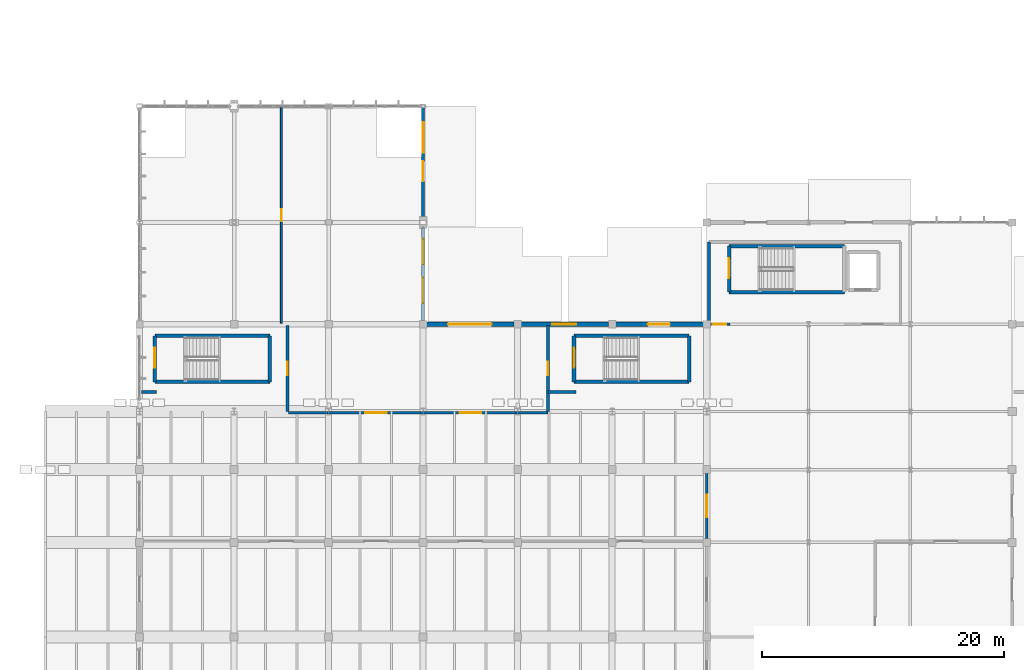
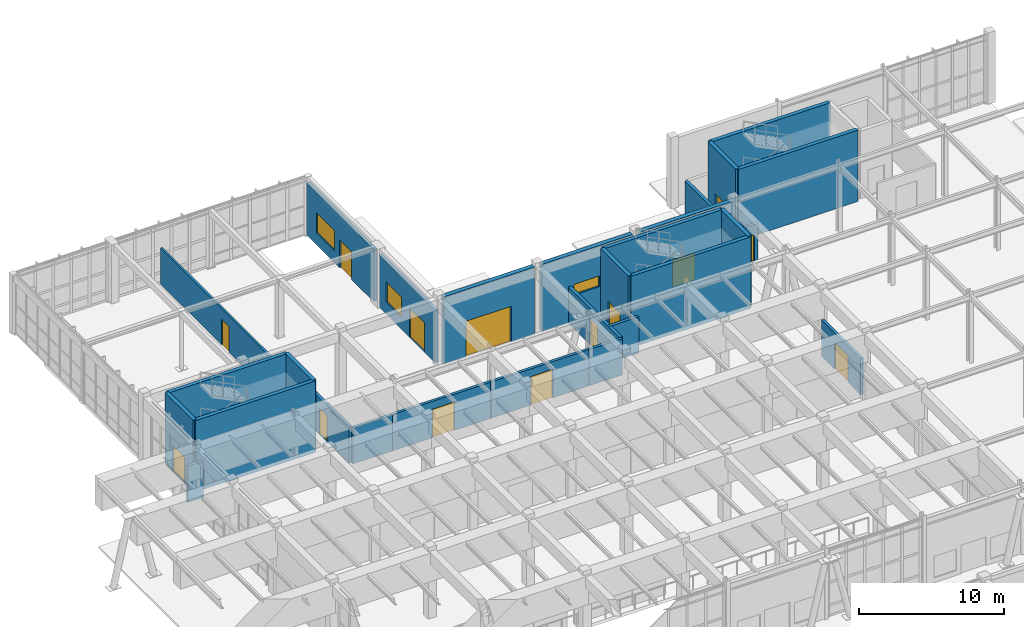
# One storey, part 80 of 110: 28 walls, 14 doors, 3 windows, 17 openings.
"""IFC4 building model written with IfcOpenShell, lengths in metres."""

from ifc_helpers import new_model, si_unit, direction, frame, frame_2d, origin, place, context, subcontext, project, spatial, rectangle, extrude, material, layer, layer_set, type_object, element, fill, save


model = new_model("IFC4")

# Units and contexts
model_context = context("Model", 3, precision=1e-05, world=origin(), true_north=direction((0.0, 1.0)))
body_context = subcontext(model_context, "Body", "Model", "MODEL_VIEW")
ifc_project = project(units=[si_unit("LENGTHUNIT", "METRE"), si_unit("AREAUNIT", "SQUARE_METRE"), si_unit("VOLUMEUNIT", "CUBIC_METRE"), si_unit("PLANEANGLEUNIT", "RADIAN"), si_unit("MASSUNIT", "GRAM", prefix="KILO")], contexts=[model_context])

# Site, building, storey
site_placement = place(None, origin())
site = spatial("IfcSite", under=ifc_project, at=site_placement, CompositionType="ELEMENT")
building_placement = place(site_placement, origin())
building = spatial("IfcBuilding", under=site, at=building_placement, Name="Tizgana Railside Sports Hall", CompositionType="ELEMENT")
storey_placement = place(building_placement, origin())
storey = spatial("IfcBuildingStorey", under=building, at=storey_placement, Name="L00", CompositionType="ELEMENT", Elevation=0.0)

# Wall, opening, door
ifc_material_1 = material(Name="Acoustic gypsum stud")
ifc_layer_1 = layer(ifc_material_1, 0.159912109375, Name="Acoustic gypsum stud")
ifc_layer_set_1 = layer_set([ifc_layer_1], Name="Acoustic gypsum stud")
wall_type_1 = type_object("IfcWallType", Name="Clinic Acoustic Partition 160", PredefinedType="STANDARD", material=ifc_layer_set_1)
wall_1_placement = place(storey_placement, frame((19.5, 80.5, 0.0), z_axis=(0.0, 0.0, 1.0), x_axis=(0.0, 1.0, 0.0)))
wall_1 = element("IfcWall", 1, at=wall_1_placement, inside=storey, type_object=wall_type_1, Name="L00 Partition PWAL-0340", PredefinedType="STANDARD", context=body_context, shape_type="SweptSolid", body=[
    extrude(rectangle(XDim=17.800048828125, YDim=0.159912109375, at=frame_2d((8.89990234375, 0.0))), origin(), (0.0, 0.0, 1.0), 3.050048828125),
])
opening_1_placement = place(wall_1_placement, frame((8.409912109375, 0.0, 0.0)))
opening_1 = element("IfcOpeningElement", 2, at=opening_1_placement, cuts=wall_1, Name="Opening D-0305", PredefinedType="OPENING", context=body_context, shape_type="SweptSolid", body=[
    extrude(rectangle(XDim=0.97998046875, YDim=2.14990234375, at=frame_2d((0.489990234375, 1.074951171875))), frame((0.0, 0.08984375, 0.0), z_axis=(0.0, -1.0, 0.0), x_axis=(1.0, 0.0, 0.0)), (0.0, 0.0, 1.0), 0.179931640625),
])
ifc_material_2 = material(Name="Solid beech timber", Category="wood")
door_type_1 = type_object("IfcDoorType", Name="Athlete Changing Room Door 980x2150", OperationType="NOTDEFINED", PredefinedType="DOOR", material=ifc_material_2)
door_1_placement = place(opening_1_placement, origin())
door_1 = element("IfcDoor", 3, at=door_1_placement, inside=storey, type_object=door_type_1, Name="L00 Door D-0305", OperationType="SINGLE_SWING_RIGHT", OverallHeight=2.14990234375, OverallWidth=0.97998046875, PredefinedType="DOOR", context=body_context, shape_type="SweptSolid", body=[
    extrude(rectangle(XDim=0.97998046875, YDim=2.14990234375, at=frame_2d((0.489990234375, 1.074951171875))), frame((0.0, 0.02490234375, 0.0), z_axis=(0.0, -1.0, 0.0), x_axis=(1.0, 0.0, 0.0)), (0.0, 0.0, 1.0), 0.050048828125),
])
fill(opening_1, door_1)

# Walls
ifc_material_3 = material(Name="Concrete C40/50", Category="concrete")
ifc_layer_2 = layer(ifc_material_3, 0.300048828125, Name="Concrete C40/50")
ifc_layer_set_2 = layer_set([ifc_layer_2], Name="Concrete C40/50")
wall_type_2 = type_object("IfcWallType", Name="Core Shear Wall 300", PredefinedType="SHEAR", material=ifc_layer_set_2)
for number, where, z_axis, x_axis, name in (
    (4, (65.949951171875, 83.050048828125, 0.0), (0.0, 0.0, 1.0), (-1.0, 0.0, 0.0), "L00 C4 Shaft Wall S"),
    (5, (56.449951171875, 86.85009765625, 0.0), (0.0, 0.0, 1.0), (1.0, 0.0, 0.0), "L00 C4 Shaft Wall N"),
):
    element("IfcWall", number, at=place(storey_placement, frame(where, z_axis=z_axis, x_axis=x_axis)), inside=storey, type_object=wall_type_2, Name=name, PredefinedType="SHEAR", context=body_context, shape_type="SweptSolid", body=[
        extrude(rectangle(XDim=9.5, YDim=0.300048828125, at=frame_2d((4.75, 0.0))), origin(), (0.0, 0.0, 1.0), 6.0),
    ])

# Wall, opening, door
wall_2_placement = place(storey_placement, frame((56.449951171875, 83.050048828125, 0.0), z_axis=(0.0, 0.0, 1.0), x_axis=(0.0, 1.0, 0.0)))
wall_2 = element("IfcWall", 6, at=wall_2_placement, inside=storey, type_object=wall_type_2, Name="L00 C4 Shaft Wall W", PredefinedType="SHEAR", context=body_context, shape_type="SweptSolid", body=[
    extrude(rectangle(XDim=3.800048828125, YDim=0.300048828125, at=frame_2d((1.89990234375, 0.0))), origin(), (0.0, 0.0, 1.0), 6.0),
])
opening_2_placement = place(wall_2_placement, frame((1.14990234375, 0.0, 0.0)))
opening_2 = element("IfcOpeningElement", 7, at=opening_2_placement, cuts=wall_2, Name="Opening D-0072", PredefinedType="OPENING", context=body_context, shape_type="SweptSolid", body=[
    extrude(rectangle(XDim=1.64990234375, YDim=2.199951171875, at=frame_2d((0.824951171875, 1.10009765625))), frame((0.0, 0.159912109375, 0.0), z_axis=(0.0, -1.0, 0.0), x_axis=(1.0, 0.0, 0.0)), (0.0, 0.0, 1.0), 0.320068359375),
])
ifc_material_4 = material(Name="Timber fire leaf", Category="wood")
door_type_2 = type_object("IfcDoorType", Name="Stair Core Double Fire Door 1650x2200", OperationType="NOTDEFINED", PredefinedType="DOOR", material=ifc_material_4)
door_2_placement = place(opening_2_placement, origin())
door_2 = element("IfcDoor", 8, at=door_2_placement, inside=storey, type_object=door_type_2, Name="L00 Door D-0072", OperationType="DOUBLE_DOOR_SINGLE_SWING", OverallHeight=2.199951171875, OverallWidth=1.64990234375, PredefinedType="DOOR", context=body_context, shape_type="SweptSolid", body=[
    extrude(rectangle(XDim=1.64990234375, YDim=2.199951171875, at=frame_2d((0.824951171875, 1.10009765625))), frame((0.0, 0.02490234375, 0.0), z_axis=(0.0, -1.0, 0.0), x_axis=(1.0, 0.0, 0.0)), (0.0, 0.0, 1.0), 0.050048828125),
])
fill(opening_2, door_2)

# Walls
for number, where, z_axis, x_axis, name in (
    (9, (53.14990234375, 75.64990234375, 0.0), (0.0, 0.0, 1.0), (-1.0, 0.0, 0.0), "L00 C6 Shaft Wall S"),
    (10, (43.64990234375, 79.449951171875, 0.0), (0.0, 0.0, 1.0), (1.0, 0.0, 0.0), "L00 C6 Shaft Wall N"),
):
    element("IfcWall", number, at=place(storey_placement, frame(where, z_axis=z_axis, x_axis=x_axis)), inside=storey, type_object=wall_type_2, Name=name, PredefinedType="SHEAR", context=body_context, shape_type="SweptSolid", body=[
        extrude(rectangle(XDim=9.5, YDim=0.300048828125, at=frame_2d((4.75, 0.0))), origin(), (0.0, 0.0, 1.0), 6.0),
    ])

# Wall, opening, door
wall_3_placement = place(storey_placement, frame((43.64990234375, 75.64990234375, 0.0), z_axis=(0.0, 0.0, 1.0), x_axis=(0.0, 1.0, 0.0)))
wall_3 = element("IfcWall", 11, at=wall_3_placement, inside=storey, type_object=wall_type_2, Name="L00 C6 Shaft Wall W", PredefinedType="SHEAR", context=body_context, shape_type="SweptSolid", body=[
    extrude(rectangle(XDim=3.800048828125, YDim=0.300048828125, at=frame_2d((1.89990234375, 0.0))), origin(), (0.0, 0.0, 1.0), 6.0),
])
opening_3_placement = place(wall_3_placement, frame((1.14990234375, 0.0, 0.0)))
opening_3 = element("IfcOpeningElement", 12, at=opening_3_placement, cuts=wall_3, Name="Opening D-0088", PredefinedType="OPENING", context=body_context, shape_type="SweptSolid", body=[
    extrude(rectangle(XDim=1.64990234375, YDim=2.199951171875, at=frame_2d((0.824951171875, 1.10009765625))), frame((0.0, 0.159912109375, 0.0), z_axis=(0.0, -1.0, 0.0), x_axis=(1.0, 0.0, 0.0)), (0.0, 0.0, 1.0), 0.320068359375),
])
door_3_placement = place(opening_3_placement, origin())
door_3 = element("IfcDoor", 13, at=door_3_placement, inside=storey, type_object=door_type_2, Name="L00 Door D-0088", OperationType="DOUBLE_DOOR_SINGLE_SWING", OverallHeight=2.199951171875, OverallWidth=1.64990234375, PredefinedType="DOOR", context=body_context, shape_type="SweptSolid", body=[
    extrude(rectangle(XDim=1.64990234375, YDim=2.199951171875, at=frame_2d((0.824951171875, 1.10009765625))), frame((0.0, 0.02490234375, 0.0), z_axis=(0.0, -1.0, 0.0), x_axis=(1.0, 0.0, 0.0)), (0.0, 0.0, 1.0), 0.050048828125),
])
fill(opening_3, door_3)

# Walls
wall_4_placement = place(storey_placement, frame((53.14990234375, 75.64990234375, 0.0), z_axis=(0.0, 0.0, 1.0), x_axis=(0.0, 1.0, 0.0)))
element("IfcWall", 14, at=wall_4_placement, inside=storey, type_object=wall_type_2, Name="L00 C6 Shaft Wall E", PredefinedType="SHEAR", context=body_context, shape_type="SweptSolid", body=[
    extrude(rectangle(XDim=3.800048828125, YDim=0.300048828125, at=frame_2d((1.89990234375, 0.0))), origin(), (0.0, 0.0, 1.0), 6.0),
])
for number, where, z_axis, x_axis, name in (
    (15, (18.550048828125, 75.64990234375, 0.0), (0.0, 0.0, 1.0), (-1.0, 0.0, 0.0), "L00 C7 Shaft Wall S"),
    (16, (9.050048828125, 79.449951171875, 0.0), (0.0, 0.0, 1.0), (1.0, 0.0, 0.0), "L00 C7 Shaft Wall N"),
):
    element("IfcWall", number, at=place(storey_placement, frame(where, z_axis=z_axis, x_axis=x_axis)), inside=storey, type_object=wall_type_2, Name=name, PredefinedType="SHEAR", context=body_context, shape_type="SweptSolid", body=[
        extrude(rectangle(XDim=9.5, YDim=0.300048828125, at=frame_2d((4.75, 0.0))), origin(), (0.0, 0.0, 1.0), 6.0),
    ])

# Wall, opening, door
wall_5_placement = place(storey_placement, frame((9.050048828125, 75.64990234375, 0.0), z_axis=(0.0, 0.0, 1.0), x_axis=(0.0, 1.0, 0.0)))
wall_5 = element("IfcWall", 17, at=wall_5_placement, inside=storey, type_object=wall_type_2, Name="L00 C7 Shaft Wall W", PredefinedType="SHEAR", context=body_context, shape_type="SweptSolid", body=[
    extrude(rectangle(XDim=3.800048828125, YDim=0.300048828125, at=frame_2d((1.89990234375, 0.0))), origin(), (0.0, 0.0, 1.0), 6.0),
])
opening_4_placement = place(wall_5_placement, frame((1.14990234375, 0.0, 0.0)))
opening_4 = element("IfcOpeningElement", 18, at=opening_4_placement, cuts=wall_5, Name="Opening D-0091", PredefinedType="OPENING", context=body_context, shape_type="SweptSolid", body=[
    extrude(rectangle(XDim=1.64990234375, YDim=2.199951171875, at=frame_2d((0.824951171875, 1.10009765625))), frame((0.0, 0.159912109375, 0.0), z_axis=(0.0, -1.0, 0.0), x_axis=(1.0, 0.0, 0.0)), (0.0, 0.0, 1.0), 0.320068359375),
])
door_4_placement = place(opening_4_placement, origin())
door_4 = element("IfcDoor", 19, at=door_4_placement, inside=storey, type_object=door_type_2, Name="L00 Door D-0091", OperationType="DOUBLE_DOOR_SINGLE_SWING", OverallHeight=2.199951171875, OverallWidth=1.64990234375, PredefinedType="DOOR", context=body_context, shape_type="SweptSolid", body=[
    extrude(rectangle(XDim=1.64990234375, YDim=2.199951171875, at=frame_2d((0.824951171875, 1.10009765625))), frame((0.0, 0.02490234375, 0.0), z_axis=(0.0, -1.0, 0.0), x_axis=(1.0, 0.0, 0.0)), (0.0, 0.0, 1.0), 0.050048828125),
])
fill(opening_4, door_4)

# Walls
wall_6_placement = place(storey_placement, frame((18.550048828125, 75.64990234375, 0.0), z_axis=(0.0, 0.0, 1.0), x_axis=(0.0, 1.0, 0.0)))
element("IfcWall", 20, at=wall_6_placement, inside=storey, type_object=wall_type_2, Name="L00 C7 Shaft Wall E", PredefinedType="SHEAR", context=body_context, shape_type="SweptSolid", body=[
    extrude(rectangle(XDim=3.800048828125, YDim=0.300048828125, at=frame_2d((1.89990234375, 0.0))), origin(), (0.0, 0.0, 1.0), 6.0),
])
ifc_material_5 = material(Name="Masonry blockwork", Category="masonry")
ifc_layer_3 = layer(ifc_material_5, 0.219970703125, Name="Masonry blockwork")
ifc_layer_set_3 = layer_set([ifc_layer_3], Name="Masonry blockwork")
wall_type_3 = type_object("IfcWallType", Name="Equipment Store Fire Wall 220", PredefinedType="STANDARD", material=ifc_layer_set_3)
wall_7_placement = place(storey_placement, frame((20.10009765625, 73.10009765625, 0.0), z_axis=(0.0, 0.0, 1.0), x_axis=(1.0, 0.0, 0.0)))
element("IfcWall", 21, at=wall_7_placement, inside=storey, type_object=wall_type_3, Name="L00 Partition PWAL-0259", PredefinedType="STANDARD", context=body_context, shape_type="SweptSolid", body=[
    extrude(rectangle(XDim=3.139892578125, YDim=0.219970703125, at=frame_2d((1.56982421875, 0.0))), origin(), (0.0, 0.0, 1.0), 3.050048828125),
])

# Wall, opening, door
wall_8_placement = place(storey_placement, frame((23.2451171875, 73.10009765625, 0.0), z_axis=(0.0, 0.0, 1.0), x_axis=(1.0, 0.0, 0.0)))
wall_8 = element("IfcWall", 22, at=wall_8_placement, inside=storey, type_object=wall_type_3, Name="L00 Partition PWAL-0260", PredefinedType="STANDARD", context=body_context, shape_type="SweptSolid", body=[
    extrude(rectangle(XDim=7.794921875, YDim=0.219970703125, at=frame_2d((3.8974609375, 0.0))), origin(), (0.0, 0.0, 1.0), 3.050048828125),
])
opening_5_placement = place(wall_8_placement, frame((3.179931640625, 0.0, 0.0)))
opening_5 = element("IfcOpeningElement", 23, at=opening_5_placement, cuts=wall_8, Name="Opening D-0249", PredefinedType="OPENING", context=body_context, shape_type="SweptSolid", body=[
    extrude(rectangle(XDim=1.75, YDim=2.39990234375, at=frame_2d((0.875, 1.199951171875))), frame((0.0, 0.119873046875, 0.0), z_axis=(0.0, -1.0, 0.0), x_axis=(1.0, 0.0, 0.0)), (0.0, 0.0, 1.0), 0.239990234375),
])
ifc_material_6 = material(Name="Galvanised steel sheet", Category="steel")
door_type_3 = type_object("IfcDoorType", Name="Equipment Store Double Fire Door 1750x2400", OperationType="NOTDEFINED", PredefinedType="DOOR", material=ifc_material_6)
door_5_placement = place(opening_5_placement, origin())
door_5 = element("IfcDoor", 24, at=door_5_placement, inside=storey, type_object=door_type_3, Name="L00 Door D-0249", OperationType="DOUBLE_DOOR_SINGLE_SWING", OverallHeight=2.39990234375, OverallWidth=1.75, PredefinedType="DOOR", context=body_context, shape_type="SweptSolid", body=[
    extrude(rectangle(XDim=1.75, YDim=2.39990234375, at=frame_2d((0.875, 1.199951171875))), frame((0.0, 0.02490234375, 0.0), z_axis=(0.0, -1.0, 0.0), x_axis=(1.0, 0.0, 0.0)), (0.0, 0.0, 1.0), 0.050048828125),
])
fill(opening_5, door_5)

wall_9_placement = place(storey_placement, frame((31.044921875, 73.10009765625, 0.0), z_axis=(0.0, 0.0, 1.0), x_axis=(1.0, 0.0, 0.0)))
wall_9 = element("IfcWall", 25, at=wall_9_placement, inside=storey, type_object=wall_type_3, Name="L00 Partition PWAL-0261", PredefinedType="STANDARD", context=body_context, shape_type="SweptSolid", body=[
    extrude(rectangle(XDim=7.795166015625, YDim=0.219970703125, at=frame_2d((3.8974609375, 0.0))), origin(), (0.0, 0.0, 1.0), 3.050048828125),
])
opening_6_placement = place(wall_9_placement, frame((3.179931640625, 0.0, 0.0)))
opening_6 = element("IfcOpeningElement", 26, at=opening_6_placement, cuts=wall_9, Name="Opening D-0250", PredefinedType="OPENING", context=body_context, shape_type="SweptSolid", body=[
    extrude(rectangle(XDim=1.75, YDim=2.39990234375, at=frame_2d((0.875, 1.199951171875))), frame((0.0, 0.119873046875, 0.0), z_axis=(0.0, -1.0, 0.0), x_axis=(1.0, 0.0, 0.0)), (0.0, 0.0, 1.0), 0.239990234375),
])
door_6_placement = place(opening_6_placement, origin())
door_6 = element("IfcDoor", 27, at=door_6_placement, inside=storey, type_object=door_type_3, Name="L00 Door D-0250", OperationType="DOUBLE_DOOR_SINGLE_SWING", OverallHeight=2.39990234375, OverallWidth=1.75, PredefinedType="DOOR", context=body_context, shape_type="SweptSolid", body=[
    extrude(rectangle(XDim=1.75, YDim=2.39990234375, at=frame_2d((0.875, 1.199951171875))), frame((0.0, 0.02490234375, 0.0), z_axis=(0.0, -1.0, 0.0), x_axis=(1.0, 0.0, 0.0)), (0.0, 0.0, 1.0), 0.050048828125),
])
fill(opening_6, door_6)

# Wall
wall_10_placement = place(storey_placement, frame((38.844970703125, 73.10009765625, 0.0), z_axis=(0.0, 0.0, 1.0), x_axis=(1.0, 0.0, 0.0)))
element("IfcWall", 28, at=wall_10_placement, inside=storey, type_object=wall_type_3, Name="L00 Partition PWAL-0262", PredefinedType="STANDARD", context=body_context, shape_type="SweptSolid", body=[
    extrude(rectangle(XDim=2.655029296875, YDim=0.219970703125, at=frame_2d((1.32763671875, 0.0))), origin(), (0.0, 0.0, 1.0), 3.050048828125),
])

# Wall, opening, door
wall_11_placement = place(storey_placement, frame((54.60009765625, 62.699951171875, 0.0), z_axis=(0.0, 0.0, 1.0), x_axis=(0.0, 1.0, 0.0)))
wall_11 = element("IfcWall", 29, at=wall_11_placement, inside=storey, type_object=wall_type_3, Name="L00 Partition PWAL-0270", PredefinedType="STANDARD", context=body_context, shape_type="SweptSolid", body=[
    extrude(rectangle(XDim=5.400146484375, YDim=0.219970703125, at=frame_2d((2.7001953125, 0.0))), origin(), (0.0, 0.0, 1.0), 3.050048828125),
])
opening_7_placement = place(wall_11_placement, frame((1.77490234375, 0.0, 0.0)))
opening_7 = element("IfcOpeningElement", 30, at=opening_7_placement, cuts=wall_11, Name="Opening D-0258", PredefinedType="OPENING", context=body_context, shape_type="SweptSolid", body=[
    extrude(rectangle(XDim=1.85009765625, YDim=2.25, at=frame_2d((0.925048828125, 1.125))), frame((0.0, 0.119873046875, 0.0), z_axis=(0.0, -1.0, 0.0), x_axis=(1.0, 0.0, 0.0)), (0.0, 0.0, 1.0), 0.239990234375),
])
door_type_4 = type_object("IfcDoorType", Name="Corridor Cross-Fire Double Door 1850x2250", OperationType="NOTDEFINED", PredefinedType="DOOR", material=ifc_material_4)
door_7_placement = place(opening_7_placement, origin())
door_7 = element("IfcDoor", 31, at=door_7_placement, inside=storey, type_object=door_type_4, Name="L00 Door D-0258", OperationType="DOUBLE_DOOR_SINGLE_SWING", OverallHeight=2.25, OverallWidth=1.85009765625, PredefinedType="DOOR", context=body_context, shape_type="SweptSolid", body=[
    extrude(rectangle(XDim=1.85009765625, YDim=2.25, at=frame_2d((0.925048828125, 1.125))), frame((0.0, 0.02490234375, 0.0), z_axis=(0.0, -1.0, 0.0), x_axis=(1.0, 0.0, 0.0)), (0.0, 0.0, 1.0), 0.050048828125),
])
fill(opening_7, door_7)

# Wall, openings, door, window
ifc_material_7 = material(Name="Cross-laminated timber CL24h", Category="wood")
ifc_layer_4 = layer(ifc_material_7, 0.25, Name="Cross-laminated timber CL24h")
ifc_layer_set_4 = layer_set([ifc_layer_4], Name="Cross-laminated timber CL24h")
wall_type_4 = type_object("IfcWallType", Name="Exterior Clerestory Spandrel 250", PredefinedType="STANDARD", material=ifc_layer_set_4)
wall_12_placement = place(storey_placement, frame((31.199951171875, 88.449951171875, 0.0), z_axis=(0.0, 0.0, 1.0), x_axis=(0.0, -1.0, 0.0)))
wall_12 = element("IfcWall", 32, at=wall_12_placement, inside=storey, type_object=wall_type_4, Name="L00 Exterior Wall EWAL-0134", PredefinedType="STANDARD", context=body_context, shape_type="SweptSolid", body=[
    extrude(rectangle(XDim=7.760009765625, YDim=0.25, at=frame_2d((3.8798828125, 0.0))), origin(), (0.0, 0.0, 1.0), 4.39111328125),
])
opening_8_placement = place(wall_12_placement, frame((4.199951171875, 0.0, 0.0)))
opening_8 = element("IfcOpeningElement", 33, at=opening_8_placement, cuts=wall_12, Name="Opening D-0033", PredefinedType="OPENING", context=body_context, shape_type="SweptSolid", body=[
    extrude(rectangle(XDim=2.10009765625, YDim=2.449951171875, at=frame_2d((1.050048828125, 1.22509765625))), frame((0.0, 0.135009765625, 0.0), z_axis=(0.0, -1.0, 0.0), x_axis=(1.0, 0.0, 0.0)), (0.0, 0.0, 1.0), 0.27001953125),
])
opening_9_placement = place(wall_12_placement, frame((1.0, 0.0, 1.0)))
opening_9 = element("IfcOpeningElement", 34, at=opening_9_placement, cuts=wall_12, Name="Opening W-0113", PredefinedType="OPENING", context=body_context, shape_type="SweptSolid", body=[
    extrude(rectangle(XDim=2.10009765625, YDim=1.699951171875, at=frame_2d((1.050048828125, 0.85009765625))), frame((0.0, 0.135009765625, 0.0), z_axis=(0.0, -1.0, 0.0), x_axis=(1.0, 0.0, 0.0)), (0.0, 0.0, 1.0), 0.27001953125),
])
ifc_material_8 = material(Name="Anodised aluminium and glass", Category="aluminium")
door_type_5 = type_object("IfcDoorType", Name="Cycle Pavilion Entrance Door 2100x2450", OperationType="NOTDEFINED", PredefinedType="DOOR", material=ifc_material_8)
door_8_placement = place(opening_8_placement, origin())
door_8 = element("IfcDoor", 35, at=door_8_placement, inside=storey, type_object=door_type_5, Name="L00 Door D-0033", OperationType="DOUBLE_DOOR_SINGLE_SWING", OverallHeight=2.449951171875, OverallWidth=2.10009765625, PredefinedType="DOOR", context=body_context, shape_type="SweptSolid", body=[
    extrude(rectangle(XDim=2.10009765625, YDim=2.449951171875, at=frame_2d((1.050048828125, 1.22509765625))), frame((0.0, 0.02490234375, 0.0), z_axis=(0.0, -1.0, 0.0), x_axis=(1.0, 0.0, 0.0)), (0.0, 0.0, 1.0), 0.050048828125),
])
fill(opening_8, door_8)
ifc_material_9 = material(Name="Double low-E laminated glass", Category="glass")
window_type_1 = type_object("IfcWindowType", Name="Cycle Pavilion Window 2100x1700", PartitioningType="SINGLE_PANEL", PredefinedType="WINDOW", material=ifc_material_9)
window_1_placement = place(opening_9_placement, origin())
window_1 = element("IfcWindow", 36, at=window_1_placement, inside=storey, type_object=window_type_1, Name="L00 Window W-0113", OverallHeight=1.699951171875, OverallWidth=2.10009765625, PartitioningType="SINGLE_PANEL", PredefinedType="WINDOW", context=body_context, shape_type="SweptSolid", body=[
    extrude(rectangle(XDim=2.10009765625, YDim=1.699951171875, at=frame_2d((1.050048828125, 0.85009765625))), frame((0.0, 0.030029296875, 0.0), z_axis=(0.0, -1.0, 0.0), x_axis=(1.0, 0.0, 0.0)), (0.0, 0.0, 1.0), 0.06005859375),
])
fill(opening_9, window_1)

# Wall, openings, window, door
wall_13_placement = place(storey_placement, frame((31.199951171875, 98.37255859375, 0.0), z_axis=(0.0, 0.0, 1.0), x_axis=(0.0, -1.0, 0.0)))
wall_13 = element("IfcWall", 37, at=wall_13_placement, inside=storey, type_object=wall_type_4, Name="L00 Exterior Wall EWAL-0135", PredefinedType="STANDARD", context=body_context, shape_type="SweptSolid", body=[
    extrude(rectangle(XDim=9.22265625, YDim=0.25, at=frame_2d((4.611328125, 0.0))), origin(), (0.0, 0.0, 1.0), 4.39111328125),
])
opening_10_placement = place(wall_13_placement, frame((4.5224609375, 0.0, 0.0)))
opening_10 = element("IfcOpeningElement", 38, at=opening_10_placement, cuts=wall_13, Name="Opening D-0034", PredefinedType="OPENING", context=body_context, shape_type="SweptSolid", body=[
    extrude(rectangle(XDim=1.64990234375, YDim=2.35009765625, at=frame_2d((0.824951171875, 1.175048828125))), frame((0.0, 0.135009765625, 0.0), z_axis=(0.0, -1.0, 0.0), x_axis=(1.0, 0.0, 0.0)), (0.0, 0.0, 1.0), 0.27001953125),
])
opening_11_placement = place(wall_13_placement, frame((1.322509765625, 0.0, 1.0)))
opening_11 = element("IfcOpeningElement", 39, at=opening_11_placement, cuts=wall_13, Name="Opening W-0114", PredefinedType="OPENING", context=body_context, shape_type="SweptSolid", body=[
    extrude(rectangle(XDim=2.5, YDim=1.699951171875, at=frame_2d((1.25, 0.85009765625))), frame((0.0, 0.135009765625, 0.0), z_axis=(0.0, -1.0, 0.0), x_axis=(1.0, 0.0, 0.0)), (0.0, 0.0, 1.0), 0.27001953125),
])
window_type_2 = type_object("IfcWindowType", Name="Bouldering Pavilion Window 2500x1700", PartitioningType="SINGLE_PANEL", PredefinedType="WINDOW", material=ifc_material_9)
window_2_placement = place(opening_11_placement, origin())
window_2 = element("IfcWindow", 40, at=window_2_placement, inside=storey, type_object=window_type_2, Name="L00 Window W-0114", OverallHeight=1.699951171875, OverallWidth=2.5, PartitioningType="SINGLE_PANEL", PredefinedType="WINDOW", context=body_context, shape_type="SweptSolid", body=[
    extrude(rectangle(XDim=2.5, YDim=1.699951171875, at=frame_2d((1.25, 0.85009765625))), frame((0.0, 0.030029296875, 0.0), z_axis=(0.0, -1.0, 0.0), x_axis=(1.0, 0.0, 0.0)), (0.0, 0.0, 1.0), 0.06005859375),
])
fill(opening_11, window_2)
door_type_6 = type_object("IfcDoorType", Name="Pavilion Garden Double Door 1650x2350", OperationType="NOTDEFINED", PredefinedType="DOOR", material=ifc_material_8)
door_9_placement = place(opening_10_placement, origin())
door_9 = element("IfcDoor", 41, at=door_9_placement, inside=storey, type_object=door_type_6, Name="L00 Door D-0034", OperationType="DOUBLE_DOOR_SINGLE_SWING", OverallHeight=2.35009765625, OverallWidth=1.64990234375, PredefinedType="DOOR", context=body_context, shape_type="SweptSolid", body=[
    extrude(rectangle(XDim=1.64990234375, YDim=2.35009765625, at=frame_2d((0.824951171875, 1.175048828125))), frame((0.0, 0.02490234375, 0.0), z_axis=(0.0, -1.0, 0.0), x_axis=(1.0, 0.0, 0.0)), (0.0, 0.0, 1.0), 0.050048828125),
])
fill(opening_10, door_9)

# Wall, opening, door
ifc_material_10 = material(Name="Concrete C35/45", Category="concrete")
ifc_layer_5 = layer(ifc_material_10, 0.340087890625, Name="Concrete C35/45")
ifc_layer_set_5 = layer_set([ifc_layer_5], Name="Concrete C35/45")
wall_type_5 = type_object("IfcWallType", Name="Exterior Insulated Concrete Wall 340", PredefinedType="STANDARD", material=ifc_layer_set_5)
wall_14_placement = place(storey_placement, frame((31.489990234375, 80.39990234375, 0.0), z_axis=(0.0, 0.0, 1.0), x_axis=(1.0, 0.0, 0.0)))
wall_14 = element("IfcWall", 42, at=wall_14_placement, inside=storey, type_object=wall_type_5, Name="L00 Exterior Wall EWAL-0005", PredefinedType="STANDARD", context=body_context, shape_type="SweptSolid", body=[
    extrude(rectangle(XDim=7.219970703125, YDim=0.340087890625, at=frame_2d((3.60986328125, 0.0))), origin(), (0.0, 0.0, 1.0), 5.659912109375),
])
opening_12_placement = place(wall_14_placement, frame((1.760009765625, 0.0, 0.0)))
opening_12 = element("IfcOpeningElement", 43, at=opening_12_placement, cuts=wall_14, Name="Opening D-0005", PredefinedType="OPENING", context=body_context, shape_type="SweptSolid", body=[
    extrude(rectangle(XDim=3.60009765625, YDim=3.0, at=frame_2d((1.800048828125, 1.5))), frame((0.0, 0.179931640625, 0.0), z_axis=(0.0, -1.0, 0.0), x_axis=(1.0, 0.0, 0.0)), (0.0, 0.0, 1.0), 0.360107421875),
])
door_type_7 = type_object("IfcDoorType", Name="Trackside Equipment Yard Gate 3600x3000", OperationType="NOTDEFINED", PredefinedType="GATE", material=ifc_material_6)
door_10_placement = place(opening_12_placement, origin())
door_10 = element("IfcDoor", 44, at=door_10_placement, inside=storey, type_object=door_type_7, Name="L00 Door D-0005", OperationType="ROLLINGUP", OverallHeight=3.0, OverallWidth=3.60009765625, PredefinedType="GATE", context=body_context, shape_type="SweptSolid", body=[
    extrude(rectangle(XDim=3.60009765625, YDim=3.0, at=frame_2d((1.800048828125, 1.5))), frame((0.0, 0.02490234375, 0.0), z_axis=(0.0, -1.0, 0.0), x_axis=(1.0, 0.0, 0.0)), (0.0, 0.0, 1.0), 0.050048828125),
])
fill(opening_12, door_10)

# Wall, opening, window
wall_15_placement = place(storey_placement, frame((39.2900390625, 80.39990234375, 0.0), z_axis=(0.0, 0.0, 1.0), x_axis=(1.0, 0.0, 0.0)))
wall_15 = element("IfcWall", 45, at=wall_15_placement, inside=storey, type_object=wall_type_5, Name="L00 Exterior Wall EWAL-0006", PredefinedType="STANDARD", context=body_context, shape_type="SweptSolid", body=[
    extrude(rectangle(XDim=7.219970703125, YDim=0.340087890625, at=frame_2d((3.60986328125, 0.0))), origin(), (0.0, 0.0, 1.0), 5.659912109375),
])
opening_13_placement = place(wall_15_placement, frame((2.56005859375, 0.0, 2.199951171875)))
opening_13 = element("IfcOpeningElement", 46, at=opening_13_placement, cuts=wall_15, Name="Opening W-0007", PredefinedType="OPENING", context=body_context, shape_type="SweptSolid", body=[
    extrude(rectangle(XDim=2.0, YDim=0.89990234375, at=frame_2d((1.0, 0.449951171875))), frame((0.0, 0.179931640625, 0.0), z_axis=(0.0, -1.0, 0.0), x_axis=(1.0, 0.0, 0.0)), (0.0, 0.0, 1.0), 0.360107421875),
])
window_type_3 = type_object("IfcWindowType", Name="Changing High-Level Window 2000x900", PartitioningType="SINGLE_PANEL", PredefinedType="WINDOW", material=ifc_material_9)
window_3_placement = place(opening_13_placement, origin())
window_3 = element("IfcWindow", 47, at=window_3_placement, inside=storey, type_object=window_type_3, Name="L00 Window W-0007", OverallHeight=0.89990234375, OverallWidth=2.0, PartitioningType="SINGLE_PANEL", PredefinedType="WINDOW", context=body_context, shape_type="SweptSolid", body=[
    extrude(rectangle(XDim=2.0, YDim=0.89990234375, at=frame_2d((1.0, 0.449951171875))), frame((0.0, 0.030029296875, 0.0), z_axis=(0.0, -1.0, 0.0), x_axis=(1.0, 0.0, 0.0)), (0.0, 0.0, 1.0), 0.06005859375),
])
fill(opening_13, window_3)

# Wall, opening, door
wall_16_placement = place(storey_placement, frame((47.090087890625, 80.39990234375, 0.0), z_axis=(0.0, 0.0, 1.0), x_axis=(1.0, 0.0, 0.0)))
wall_16 = element("IfcWall", 48, at=wall_16_placement, inside=storey, type_object=wall_type_5, Name="L00 Exterior Wall EWAL-0007", PredefinedType="STANDARD", context=body_context, shape_type="SweptSolid", body=[
    extrude(rectangle(XDim=7.5849609375, YDim=0.340087890625, at=frame_2d((3.79248046875, 0.0))), origin(), (0.0, 0.0, 1.0), 5.659912109375),
])
opening_14_placement = place(wall_16_placement, frame((2.659912109375, 0.0, 0.0)))
opening_14 = element("IfcOpeningElement", 49, at=opening_14_placement, cuts=wall_16, Name="Opening D-0006", PredefinedType="OPENING", context=body_context, shape_type="SweptSolid", body=[
    extrude(rectangle(XDim=1.800048828125, YDim=2.25, at=frame_2d((0.89990234375, 1.125))), frame((0.0, 0.179931640625, 0.0), z_axis=(0.0, -1.0, 0.0), x_axis=(1.0, 0.0, 0.0)), (0.0, 0.0, 1.0), 0.360107421875),
])
door_type_8 = type_object("IfcDoorType", Name="Protected Stair Final Exit Door 1800x2250", OperationType="NOTDEFINED", PredefinedType="DOOR", material=ifc_material_6)
door_11_placement = place(opening_14_placement, origin())
door_11 = element("IfcDoor", 50, at=door_11_placement, inside=storey, type_object=door_type_8, Name="L00 Door D-0006", OperationType="DOUBLE_DOOR_SINGLE_SWING", OverallHeight=2.25, OverallWidth=1.800048828125, PredefinedType="DOOR", context=body_context, shape_type="SweptSolid", body=[
    extrude(rectangle(XDim=1.800048828125, YDim=2.25, at=frame_2d((0.89990234375, 1.125))), frame((0.0, 0.02490234375, 0.0), z_axis=(0.0, -1.0, 0.0), x_axis=(1.0, 0.0, 0.0)), (0.0, 0.0, 1.0), 0.050048828125),
])
fill(opening_14, door_11)

ifc_layer_6 = layer(ifc_material_10, 0.239990234375, Name="Concrete C35/45")
ifc_layer_set_6 = layer_set([ifc_layer_6], Name="Concrete C35/45")
wall_type_6 = type_object("IfcWallType", Name="Firefighting Lobby Wall 240", PredefinedType="STANDARD", material=ifc_layer_set_6)
wall_17_placement = place(storey_placement, frame((54.679931640625, 80.39990234375, 0.0), z_axis=(0.0, 0.0, 1.0), x_axis=(1.0, 0.0, 0.0)))
wall_17 = element("IfcWall", 51, at=wall_17_placement, inside=storey, type_object=wall_type_6, Name="L00 Partition PWAL-0315", PredefinedType="STANDARD", context=body_context, shape_type="SweptSolid", body=[
    extrude(rectangle(XDim=1.820068359375, YDim=0.239990234375, at=frame_2d((0.91015625, 0.0))), origin(), (0.0, 0.0, 1.0), 3.050048828125),
])
opening_15_placement = place(wall_17_placement, frame((0.419921875, 0.0, 0.0)))
opening_15 = element("IfcOpeningElement", 52, at=opening_15_placement, cuts=wall_17, Name="Opening D-0290", PredefinedType="OPENING", context=body_context, shape_type="SweptSolid", body=[
    extrude(rectangle(XDim=1.10009765625, YDim=2.199951171875, at=frame_2d((0.550048828125, 1.10009765625))), frame((0.0, 0.1298828125, 0.0), z_axis=(0.0, -1.0, 0.0), x_axis=(1.0, 0.0, 0.0)), (0.0, 0.0, 1.0), 0.260009765625),
])
door_type_9 = type_object("IfcDoorType", Name="Firefighting Lobby Fire Door 1100x2200", OperationType="NOTDEFINED", PredefinedType="DOOR", material=ifc_material_4)
door_12_placement = place(opening_15_placement, origin())
door_12 = element("IfcDoor", 53, at=door_12_placement, inside=storey, type_object=door_type_9, Name="L00 Door D-0290", OperationType="SINGLE_SWING_RIGHT", OverallHeight=2.199951171875, OverallWidth=1.10009765625, PredefinedType="DOOR", context=body_context, shape_type="SweptSolid", body=[
    extrude(rectangle(XDim=1.10009765625, YDim=2.199951171875, at=frame_2d((0.550048828125, 1.10009765625))), frame((0.0, 0.02490234375, 0.0), z_axis=(0.0, -1.0, 0.0), x_axis=(1.0, 0.0, 0.0)), (0.0, 0.0, 1.0), 0.050048828125),
])
fill(opening_15, door_12)

# Walls
wall_18_placement = place(storey_placement, frame((54.800048828125, 80.39990234375, 0.0), z_axis=(0.0, 0.0, 1.0), x_axis=(0.0, 1.0, 0.0)))
element("IfcWall", 54, at=wall_18_placement, inside=storey, type_object=wall_type_6, Name="L00 Partition PWAL-0316", PredefinedType="STANDARD", context=body_context, shape_type="SweptSolid", body=[
    extrude(rectangle(XDim=6.800048828125, YDim=0.239990234375, at=frame_2d((3.39990234375, 0.0))), origin(), (0.0, 0.0, 1.0), 3.050048828125),
])
wall_19_placement = place(storey_placement, frame((7.949951171875, 74.800048828125, 0.0), z_axis=(0.0, 0.0, 1.0), x_axis=(1.0, 0.0, 0.0)))
element("IfcWall", 55, at=wall_19_placement, inside=storey, type_object=wall_type_6, Name="L00 Partition PWAL-0380", PredefinedType="STANDARD", context=body_context, shape_type="SweptSolid", body=[
    extrude(rectangle(XDim=1.25, YDim=0.239990234375, at=frame_2d((0.625, 0.0))), origin(), (0.0, 0.0, 1.0), 3.050048828125),
])

# Wall, opening, door
wall_20_placement = place(storey_placement, frame((20.0, 73.199951171875, 0.0), z_axis=(0.0, 0.0, 1.0), x_axis=(0.0, 1.0, 0.0)))
wall_20 = element("IfcWall", 56, at=wall_20_placement, inside=storey, type_object=wall_type_6, Name="L00 Partition PWAL-0381", PredefinedType="STANDARD", context=body_context, shape_type="SweptSolid", body=[
    extrude(rectangle(XDim=7.10009765625, YDim=0.239990234375, at=frame_2d((3.550048828125, 0.0))), origin(), (0.0, 0.0, 1.0), 3.050048828125),
])
opening_16_placement = place(wall_20_placement, frame((3.0, 0.0, 0.0)))
opening_16 = element("IfcOpeningElement", 57, at=opening_16_placement, cuts=wall_20, Name="Opening D-0325", PredefinedType="OPENING", context=body_context, shape_type="SweptSolid", body=[
    extrude(rectangle(XDim=1.10009765625, YDim=2.199951171875, at=frame_2d((0.550048828125, 1.10009765625))), frame((0.0, 0.1298828125, 0.0), z_axis=(0.0, -1.0, 0.0), x_axis=(1.0, 0.0, 0.0)), (0.0, 0.0, 1.0), 0.260009765625),
])
door_13_placement = place(opening_16_placement, origin())
door_13 = element("IfcDoor", 58, at=door_13_placement, inside=storey, type_object=door_type_9, Name="L00 Door D-0325", OperationType="SINGLE_SWING_RIGHT", OverallHeight=2.199951171875, OverallWidth=1.10009765625, PredefinedType="DOOR", context=body_context, shape_type="SweptSolid", body=[
    extrude(rectangle(XDim=1.10009765625, YDim=2.199951171875, at=frame_2d((0.550048828125, 1.10009765625))), frame((0.0, 0.02490234375, 0.0), z_axis=(0.0, -1.0, 0.0), x_axis=(1.0, 0.0, 0.0)), (0.0, 0.0, 1.0), 0.050048828125),
])
fill(opening_16, door_13)

# Wall
wall_21_placement = place(storey_placement, frame((41.5, 74.800048828125, 0.0), z_axis=(0.0, 0.0, 1.0), x_axis=(1.0, 0.0, 0.0)))
element("IfcWall", 59, at=wall_21_placement, inside=storey, type_object=wall_type_6, Name="L00 Partition PWAL-0382", PredefinedType="STANDARD", context=body_context, shape_type="SweptSolid", body=[
    extrude(rectangle(XDim=2.300048828125, YDim=0.239990234375, at=frame_2d((1.14990234375, 0.0))), origin(), (0.0, 0.0, 1.0), 3.050048828125),
])

# Wall, opening, door
wall_22_placement = place(storey_placement, frame((41.5, 73.199951171875, 0.0), z_axis=(0.0, 0.0, 1.0), x_axis=(0.0, 1.0, 0.0)))
wall_22 = element("IfcWall", 60, at=wall_22_placement, inside=storey, type_object=wall_type_6, Name="L00 Partition PWAL-0383", PredefinedType="STANDARD", context=body_context, shape_type="SweptSolid", body=[
    extrude(rectangle(XDim=7.10009765625, YDim=0.239990234375, at=frame_2d((3.550048828125, 0.0))), origin(), (0.0, 0.0, 1.0), 3.050048828125),
])
opening_17_placement = place(wall_22_placement, frame((3.0, 0.0, 0.0)))
opening_17 = element("IfcOpeningElement", 61, at=opening_17_placement, cuts=wall_22, Name="Opening D-0326", PredefinedType="OPENING", context=body_context, shape_type="SweptSolid", body=[
    extrude(rectangle(XDim=1.10009765625, YDim=2.199951171875, at=frame_2d((0.550048828125, 1.10009765625))), frame((0.0, 0.1298828125, 0.0), z_axis=(0.0, -1.0, 0.0), x_axis=(1.0, 0.0, 0.0)), (0.0, 0.0, 1.0), 0.260009765625),
])
door_14_placement = place(opening_17_placement, origin())
door_14 = element("IfcDoor", 62, at=door_14_placement, inside=storey, type_object=door_type_9, Name="L00 Door D-0326", OperationType="SINGLE_SWING_LEFT", OverallHeight=2.199951171875, OverallWidth=1.10009765625, PredefinedType="DOOR", context=body_context, shape_type="SweptSolid", body=[
    extrude(rectangle(XDim=1.10009765625, YDim=2.199951171875, at=frame_2d((0.550048828125, 1.10009765625))), frame((0.0, 0.02490234375, 0.0), z_axis=(0.0, -1.0, 0.0), x_axis=(1.0, 0.0, 0.0)), (0.0, 0.0, 1.0), 0.050048828125),
])
fill(opening_17, door_14)

save(model, "model.ifc")
